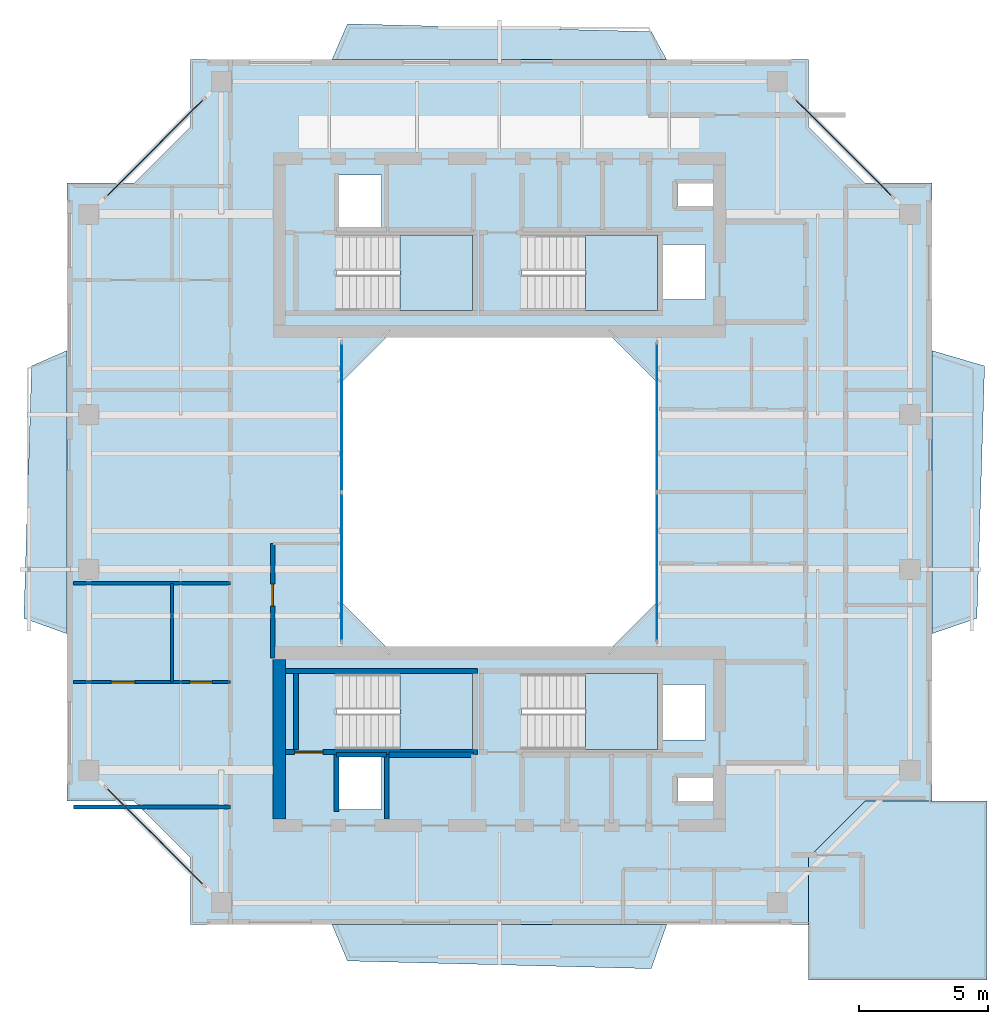
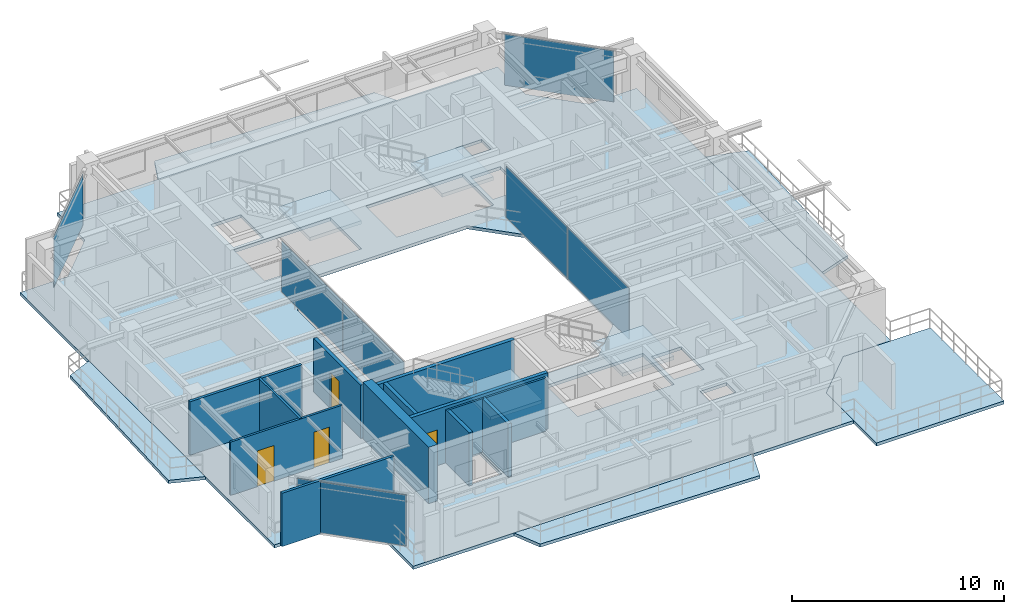
# One storey, part 9 of 16: 13 walls, 10 slabs, 7 plates, 4 doors, 4 openings, 9 elements without a shape of their own.
"""IFC4 building model written with IfcOpenShell, lengths in metres."""

from ifc_helpers import new_model, si_unit, direction, frame, frame_2d, origin, origin_2d, place, context, subcontext, project, spatial, polyline, rectangle, outline, extrude, source, transform, mapped, material, layer, layer_set, type_object, element, fill, aggregate, save


model = new_model("IFC4")

# Units and contexts
model_context = context("Model", 3, precision=1e-05, world=origin(), true_north=direction((0.0, 1.0)))
body_context = subcontext(model_context, "Body", "Model", "MODEL_VIEW")
ifc_project = project(units=[si_unit("LENGTHUNIT", "METRE"), si_unit("AREAUNIT", "SQUARE_METRE"), si_unit("VOLUMEUNIT", "CUBIC_METRE"), si_unit("PLANEANGLEUNIT", "RADIAN"), si_unit("MASSUNIT", "GRAM", prefix="KILO"), si_unit("THERMODYNAMICTEMPERATUREUNIT", "KELVIN"), si_unit("POWERUNIT", "WATT")], contexts=[model_context])

# Site, building, storey
site_placement = place(None, origin())
site = spatial("IfcSite", under=ifc_project, at=site_placement, CompositionType="ELEMENT")
building_placement = place(site_placement, origin())
building = spatial("IfcBuilding", under=site, at=building_placement, Name="Qiaomeng Ring Towers", CompositionType="ELEMENT")
storey_placement = place(building_placement, frame((0.0, 0.0, 203.5)))
storey = spatial("IfcBuildingStorey", under=building, at=storey_placement, Name="L59", CompositionType="ELEMENT", Elevation=203.5)

# Slabs
ifc_material_1 = material(Name="Concrete C40", Category="concrete")
ifc_layer_1 = layer(ifc_material_1, 0.179931640625, Name="Concrete C40")
ifc_layer_set_1 = layer_set([ifc_layer_1], Name="Concrete C40")
slab_type_1 = type_object("IfcSlabType", Name="STR-SL-180", PredefinedType="FLOOR", material=ifc_layer_set_1)
slab_1_placement = place(storey_placement, frame((0.0, 0.0, -0.179931640625)))
element("IfcSlab", 1, at=slab_1_placement, inside=storey, type_object=slab_type_1, Name="L59 Tower 1 Annular Floor Slab", PredefinedType="FLOOR", context=body_context, shape_type="SweptSolid", body=[
    extrude(outline(polyline([(7.0, 6.199951171875), (31.0, 6.199951171875), (31.0, 8.800048828125), (33.199951171875, 11.0), (35.800048828125, 11.0), (35.800048828125, 35.0), (33.199951171875, 35.0), (31.0, 37.199951171875), (31.0, 39.800048828125), (7.0, 39.800048828125), (7.0, 37.199951171875), (4.800048828125, 35.0), (2.199951171875, 35.0), (2.199951171875, 11.0), (4.800048828125, 11.0), (7.0, 8.800048828125), (7.0, 6.199951171875)]), holes=[polyline([(12.780029296875, 10.679931640625), (12.780029296875, 12.820068359375), (14.419921875, 12.820068359375), (14.419921875, 10.679931640625), (12.780029296875, 10.679931640625)]), polyline([(12.679931640625, 13.010009765625), (12.679931640625, 15.949951171875), (17.949951171875, 15.949951171875), (17.949951171875, 13.010009765625), (12.679931640625, 13.010009765625)]), polyline([(23.199951171875, 29.199951171875), (25.199951171875, 27.199951171875), (25.199951171875, 18.800048828125), (23.199951171875, 16.800048828125), (14.800048828125, 16.800048828125), (12.800048828125, 18.800048828125), (12.800048828125, 27.199951171875), (14.800048828125, 29.199951171875), (23.199951171875, 29.199951171875)]), polyline([(12.679931640625, 32.989990234375), (17.949951171875, 32.989990234375), (17.949951171875, 30.050048828125), (12.679931640625, 30.050048828125), (12.679931640625, 32.989990234375)]), polyline([(19.8798828125, 32.989990234375), (25.14990234375, 32.989990234375), (25.14990234375, 30.050048828125), (19.8798828125, 30.050048828125), (19.8798828125, 32.989990234375)]), polyline([(12.780029296875, 33.179931640625), (12.780029296875, 35.320068359375), (14.419921875, 35.320068359375), (14.419921875, 33.179931640625), (12.780029296875, 33.179931640625)]), polyline([(25.919921875, 11.89990234375), (27.360107421875, 11.89990234375), (27.360107421875, 11.0), (25.919921875, 11.0), (25.919921875, 11.89990234375)]), polyline([(25.360107421875, 15.52001953125), (27.0, 15.52001953125), (27.0, 13.3798828125), (25.360107421875, 13.3798828125), (25.360107421875, 15.52001953125)]), polyline([(19.8798828125, 13.010009765625), (19.8798828125, 15.949951171875), (25.14990234375, 15.949951171875), (25.14990234375, 13.010009765625), (19.8798828125, 13.010009765625)]), polyline([(25.360107421875, 32.6201171875), (27.0, 32.6201171875), (27.0, 30.47998046875), (25.360107421875, 30.47998046875), (25.360107421875, 32.6201171875)]), polyline([(25.919921875, 35.0), (27.360107421875, 35.0), (27.360107421875, 34.10009765625), (25.919921875, 34.10009765625), (25.919921875, 35.0)])]), origin(), (0.0, 0.0, 1.0), 0.179931640625),
])
ifc_layer_2 = layer(ifc_material_1, 0.179931640625, Name="Concrete C40")
ifc_layer_set_2 = layer_set([ifc_layer_2], Name="Concrete C40")
slab_type_2 = type_object("IfcSlabType", Name="STR-SL-BAL", PredefinedType="FLOOR", material=ifc_layer_set_2)
slab_2_placement = place(storey_placement, frame((0.0, 0.0, -0.179931640625)))
element("IfcSlab", 2, at=slab_2_placement, inside=storey, type_object=slab_type_2, Name="L59 Tower 1 S Faceted Balcony Slab", PredefinedType="FLOOR", context=body_context, shape_type="SweptSolid", body=[
    extrude(outline(polyline([(25.5, 6.199951171875), (24.89990234375, 4.489990234375), (13.10009765625, 4.7900390625), (12.5, 6.199951171875), (25.5, 6.199951171875)])), origin(), (0.0, 0.0, 1.0), 0.179931640625),
])
slab_3_placement = place(storey_placement, frame((0.0, 0.0, -0.179931640625)))
element("IfcSlab", 3, at=slab_3_placement, inside=storey, type_object=slab_type_2, Name="L59 Tower 1 E Faceted Balcony Slab", PredefinedType="FLOOR", context=body_context, shape_type="SweptSolid", body=[
    extrude(outline(polyline([(37.85009765625, 27.89990234375), (37.550048828125, 18.10009765625), (35.800048828125, 17.5), (35.800048828125, 28.5), (37.85009765625, 27.89990234375)])), origin(), (0.0, 0.0, 1.0), 0.179931640625),
])
slab_4_placement = place(storey_placement, frame((0.0, 0.0, -0.179931640625)))
element("IfcSlab", 4, at=slab_4_placement, inside=storey, type_object=slab_type_2, Name="L59 Tower 1 N Faceted Balcony Slab", PredefinedType="FLOOR", context=body_context, shape_type="SweptSolid", body=[
    extrude(outline(polyline([(12.5, 39.800048828125), (13.10009765625, 41.18994140625), (24.89990234375, 40.889892578125), (25.5, 39.800048828125), (12.5, 39.800048828125)])), origin(), (0.0, 0.0, 1.0), 0.179931640625),
])
slab_5_placement = place(storey_placement, frame((0.0, 0.0, -0.179931640625)))
element("IfcSlab", 5, at=slab_5_placement, inside=storey, type_object=slab_type_2, Name="L59 Tower 1 W Faceted Balcony Slab", PredefinedType="FLOOR", context=body_context, shape_type="SweptSolid", body=[
    extrude(outline(polyline([(0.530029296875, 18.10009765625), (0.830078125, 27.89990234375), (2.199951171875, 28.5), (2.199951171875, 17.5), (0.530029296875, 18.10009765625)])), origin(), (0.0, 0.0, 1.0), 0.179931640625),
])

# Stair, slab
ifc_material_2 = material(Name="Precast concrete C40", Category="concrete")
stair_type = type_object("IfcStairType", Name="ARC-ST-325", PredefinedType="HALF_TURN_STAIR", material=ifc_material_2)
stair_1_placement = place(storey_placement, origin())
stair_1 = element("IfcStair", 6, at=stair_1_placement, inside=storey, type_object=stair_type, Name="L59 Tower 1 North Stair 1", PredefinedType="HALF_TURN_STAIR")
ifc_layer_3 = layer(ifc_material_1, 0.199951171875, Name="Concrete C40")
ifc_layer_set_3 = layer_set([ifc_layer_3], Name="Concrete C40")
slab_type_3 = type_object("IfcSlabType", Name="STR-SL-LANDING", PredefinedType="LANDING", material=ifc_layer_set_3)
slab_6_placement = place(storey_placement, frame((0.0, 0.0, 1.425048828125)))
slab_6 = element("IfcSlab", 7, at=slab_6_placement, type_object=slab_type_3, Name="ST1 landing 1", PredefinedType="LANDING", context=body_context, shape_type="SweptSolid", body=[
    extrude(outline(polyline([(15.139892578125, 30.050048828125), (17.949951171875, 30.050048828125), (17.949951171875, 32.989990234375), (15.139892578125, 32.989990234375), (15.139892578125, 30.050048828125)])), origin(), (0.0, 0.0, 1.0), 0.199951171875),
])
aggregate(stair_1, [slab_6])

stair_2_placement = place(storey_placement, origin())
stair_2 = element("IfcStair", 8, at=stair_2_placement, inside=storey, type_object=stair_type, Name="L59 Tower 1 North Stair 2", PredefinedType="HALF_TURN_STAIR")
slab_7_placement = place(storey_placement, frame((0.0, 0.0, 1.425048828125)))
slab_7 = element("IfcSlab", 9, at=slab_7_placement, type_object=slab_type_3, Name="ST2 landing 1", PredefinedType="LANDING", context=body_context, shape_type="SweptSolid", body=[
    extrude(outline(polyline([(22.340087890625, 30.050048828125), (25.14990234375, 30.050048828125), (25.14990234375, 32.989990234375), (22.340087890625, 32.989990234375), (22.340087890625, 30.050048828125)])), origin(), (0.0, 0.0, 1.0), 0.199951171875),
])
aggregate(stair_2, [slab_7])

stair_3_placement = place(storey_placement, origin())
stair_3 = element("IfcStair", 10, at=stair_3_placement, inside=storey, type_object=stair_type, Name="L59 Tower 1 South Stair 3", PredefinedType="HALF_TURN_STAIR")
slab_8_placement = place(storey_placement, frame((0.0, 0.0, 1.425048828125)))
slab_8 = element("IfcSlab", 11, at=slab_8_placement, type_object=slab_type_3, Name="ST3 landing 1", PredefinedType="LANDING", context=body_context, shape_type="SweptSolid", body=[
    extrude(outline(polyline([(15.139892578125, 13.010009765625), (17.949951171875, 13.010009765625), (17.949951171875, 15.949951171875), (15.139892578125, 15.949951171875), (15.139892578125, 13.010009765625)])), origin(), (0.0, 0.0, 1.0), 0.199951171875),
])
aggregate(stair_3, [slab_8])

stair_4_placement = place(storey_placement, origin())
stair_4 = element("IfcStair", 12, at=stair_4_placement, inside=storey, type_object=stair_type, Name="L59 Tower 1 South Stair 4", PredefinedType="HALF_TURN_STAIR")
slab_9_placement = place(storey_placement, frame((0.0, 0.0, 1.425048828125)))
slab_9 = element("IfcSlab", 13, at=slab_9_placement, type_object=slab_type_3, Name="ST4 landing 1", PredefinedType="LANDING", context=body_context, shape_type="SweptSolid", body=[
    extrude(outline(polyline([(22.340087890625, 13.010009765625), (25.14990234375, 13.010009765625), (25.14990234375, 15.949951171875), (22.340087890625, 15.949951171875), (22.340087890625, 13.010009765625)])), origin(), (0.0, 0.0, 1.0), 0.199951171875),
])
aggregate(stair_4, [slab_9])

# Slab
ifc_layer_4 = layer(ifc_material_1, 0.179931640625, Name="Concrete C40")
ifc_layer_set_4 = layer_set([ifc_layer_4], Name="Concrete C40")
slab_type_4 = type_object("IfcSlabType", Name="STR-SL-TERR180", PredefinedType="FLOOR", material=ifc_layer_set_4)
slab_10_placement = place(storey_placement, frame((0.0, 0.0, -0.179931640625)))
element("IfcSlab", 14, at=slab_10_placement, inside=storey, type_object=slab_type_4, Name="L59 Spiralling Corner Sky Terrace SE", PredefinedType="FLOOR", context=body_context, shape_type="SweptSolid", body=[
    extrude(outline(polyline([(37.949951171875, 11.0), (37.949951171875, 4.050048828125), (31.0, 4.050048828125), (31.0, 6.199951171875), (31.0, 6.199951171875), (31.0, 8.800048828125), (33.199951171875, 11.0), (35.800048828125, 11.0), (37.949951171875, 11.0)])), origin(), (0.0, 0.0, 1.0), 0.179931640625),
])

# Curtain wall, plates
ifc_material_3 = material(Name="Fluorocarbon dark-grey aluminium", Category="aluminium")
ifc_layer_5 = layer(ifc_material_3, 0.139892578125, Name="Fluorocarbon dark-grey aluminium")
ifc_layer_set_5 = layer_set([ifc_layer_5], Name="Fluorocarbon dark-grey aluminium")
curtain_wall_type_1 = type_object("IfcCurtainWallType", Name="ARC-CW-4", PredefinedType="NOTDEFINED", material=ifc_layer_set_5)
curtain_wall_1_placement = place(storey_placement, origin())
curtain_wall_1 = element("IfcCurtainWall", 15, at=curtain_wall_1_placement, inside=storey, type_object=curtain_wall_type_1, Name="L59 Curtain Wall CW4", PredefinedType="NOTDEFINED")
ifc_material_4 = material(Name="Low-E dark-grey laminated double glazing", Category="glass")
ifc_layer_6 = layer(ifc_material_4, 0.028076171875, Name="Low-E dark-grey laminated double glazing")
ifc_layer_set_6 = layer_set([ifc_layer_6], Name="Low-E dark-grey laminated double glazing")
plate_type = type_object("IfcPlateType", Name="ARC-CWP-DARK", PredefinedType="CURTAIN_PANEL", material=ifc_layer_set_6)
shared_shape_1 = source(origin(), body_context, "Body", "SweptSolid", [
    extrude(rectangle(XDim=5.75244140625, YDim=0.028076171875, at=origin_2d()), origin(), (0.0, 0.0, 1.0), 2.93994140625),
])
plate_1_placement = place(storey_placement, frame((12.8798828125, 20.09130859375, 0.06494140625), z_axis=(0.0, 0.0, 1.0), x_axis=(0.0, 1.0, 0.0)))
plate_1 = element("IfcPlate", 16, at=plate_1_placement, type_object=plate_type, Name="CW4 panel 1.1", PredefinedType="CURTAIN_PANEL", context=body_context, shape_type="MappedRepresentation", body=[
    mapped(shared_shape_1, transform((0.0, 0.0, 0.0), x_axis=(1.0, 0.0, 0.0), y_axis=(0.0, 1.0, 0.0), z_axis=(0.0, 0.0, 1.0), scale=1.0)),
])
plate_2_placement = place(storey_placement, frame((12.8798828125, 25.90869140625, 0.06494140625), z_axis=(0.0, 0.0, 1.0), x_axis=(0.0, 1.0, 0.0)))
plate_2 = element("IfcPlate", 17, at=plate_2_placement, type_object=plate_type, Name="CW4 panel 2.1", PredefinedType="CURTAIN_PANEL", context=body_context, shape_type="MappedRepresentation", body=[
    mapped(shared_shape_1, transform((0.0, 0.0, 0.0), x_axis=(1.0, 0.0, 0.0), y_axis=(0.0, 1.0, 0.0), z_axis=(0.0, 0.0, 1.0), scale=1.0)),
])
aggregate(curtain_wall_1, [plate_1, plate_2])

curtain_wall_2_placement = place(storey_placement, origin())
curtain_wall_2 = element("IfcCurtainWall", 18, at=curtain_wall_2_placement, inside=storey, type_object=curtain_wall_type_1, Name="L59 Curtain Wall CW4", PredefinedType="NOTDEFINED")
plate_3_placement = place(storey_placement, frame((25.1201171875, 20.09130859375, 0.06494140625), z_axis=(0.0, 0.0, 1.0), x_axis=(0.0, 1.0, 0.0)))
plate_3 = element("IfcPlate", 19, at=plate_3_placement, type_object=plate_type, Name="CW4 panel 1.1", PredefinedType="CURTAIN_PANEL", context=body_context, shape_type="MappedRepresentation", body=[
    mapped(shared_shape_1, transform((0.0, 0.0, 0.0), x_axis=(1.0, 0.0, 0.0), y_axis=(0.0, 1.0, 0.0), z_axis=(0.0, 0.0, 1.0), scale=1.0)),
])
plate_4_placement = place(storey_placement, frame((25.1201171875, 25.90869140625, 0.06494140625), z_axis=(0.0, 0.0, 1.0), x_axis=(0.0, 1.0, 0.0)))
plate_4 = element("IfcPlate", 20, at=plate_4_placement, type_object=plate_type, Name="CW4 panel 2.1", PredefinedType="CURTAIN_PANEL", context=body_context, shape_type="MappedRepresentation", body=[
    mapped(shared_shape_1, transform((0.0, 0.0, 0.0), x_axis=(1.0, 0.0, 0.0), y_axis=(0.0, 1.0, 0.0), z_axis=(0.0, 0.0, 1.0), scale=1.0)),
])
aggregate(curtain_wall_2, [plate_3, plate_4])

# Curtain wall, plate
ifc_layer_7 = layer(ifc_material_3, 0.14990234375, Name="Fluorocarbon dark-grey aluminium")
ifc_layer_set_7 = layer_set([ifc_layer_7], Name="Fluorocarbon dark-grey aluminium")
curtain_wall_type_2 = type_object("IfcCurtainWallType", Name="ARC-CW-3", PredefinedType="NOTDEFINED", material=ifc_layer_set_7)
curtain_wall_3_placement = place(storey_placement, origin())
curtain_wall_3 = element("IfcCurtainWall", 21, at=curtain_wall_3_placement, inside=storey, type_object=curtain_wall_type_2, Name="L59 Curtain Wall CW3", PredefinedType="NOTDEFINED")
shared_shape_2 = source(origin(), body_context, "Body", "SweptSolid", [
    extrude(rectangle(XDim=5.3330078125, YDim=0.028076171875, at=origin_2d()), origin(), (0.0, 0.0, 1.0), 2.93994140625),
])
plate_5_placement = place(storey_placement, frame((32.375, 36.375, 0.06494140625), z_axis=(0.0, 0.0, 1.0), x_axis=(-0.707106781187, 0.707106781187, 0.0)))
plate_5 = element("IfcPlate", 22, at=plate_5_placement, type_object=plate_type, Name="CW3 panel 1.1", PredefinedType="CURTAIN_PANEL", context=body_context, shape_type="MappedRepresentation", body=[
    mapped(shared_shape_2, transform((0.0, 0.0, 0.0), x_axis=(1.0, 0.0, 0.0), y_axis=(0.0, 1.0, 0.0), z_axis=(0.0, 0.0, 1.0), scale=1.0)),
])
aggregate(curtain_wall_3, [plate_5])

curtain_wall_4_placement = place(storey_placement, origin())
curtain_wall_4 = element("IfcCurtainWall", 23, at=curtain_wall_4_placement, inside=storey, type_object=curtain_wall_type_2, Name="L59 Curtain Wall CW3", PredefinedType="NOTDEFINED")
plate_6_placement = place(storey_placement, frame((5.625, 36.375, 0.06494140625), z_axis=(0.0, 0.0, 1.0), x_axis=(-0.707106781187, -0.707106781187, 0.0)))
plate_6 = element("IfcPlate", 24, at=plate_6_placement, type_object=plate_type, Name="CW3 panel 1.1", PredefinedType="CURTAIN_PANEL", context=body_context, shape_type="MappedRepresentation", body=[
    mapped(shared_shape_2, transform((0.0, 0.0, 0.0), x_axis=(1.0, 0.0, 0.0), y_axis=(0.0, 1.0, 0.0), z_axis=(0.0, 0.0, 1.0), scale=1.0)),
])
aggregate(curtain_wall_4, [plate_6])

curtain_wall_5_placement = place(storey_placement, origin())
curtain_wall_5 = element("IfcCurtainWall", 25, at=curtain_wall_5_placement, inside=storey, type_object=curtain_wall_type_2, Name="L59 Curtain Wall CW3", PredefinedType="NOTDEFINED")
plate_7_placement = place(storey_placement, frame((5.625, 9.625, 0.06494140625), z_axis=(0.0, 0.0, 1.0), x_axis=(0.707106781187, -0.707106781187, 0.0)))
plate_7 = element("IfcPlate", 26, at=plate_7_placement, type_object=plate_type, Name="CW3 panel 1.1", PredefinedType="CURTAIN_PANEL", context=body_context, shape_type="MappedRepresentation", body=[
    mapped(shared_shape_2, transform((0.0, 0.0, 0.0), x_axis=(1.0, 0.0, 0.0), y_axis=(0.0, 1.0, 0.0), z_axis=(0.0, 0.0, 1.0), scale=1.0)),
])
aggregate(curtain_wall_5, [plate_7])

# Walls
ifc_material_5 = material(Name="Autoclaved aerated concrete block", Category="concrete")
ifc_layer_8 = layer(ifc_material_5, 0.199951171875, Name="Autoclaved aerated concrete block")
ifc_layer_set_8 = layer_set([ifc_layer_8], Name="Autoclaved aerated concrete block")
wall_type_1 = type_object("IfcWallType", Name="ARC-WL-PW1", PredefinedType="PARTITIONING", material=ifc_layer_set_8)
wall_1_placement = place(storey_placement, frame((12.679931640625, 10.60009765625, 0.0), z_axis=(0.0, 0.0, 1.0), x_axis=(0.0, 1.0, 0.0)))
element("IfcWall", 27, at=wall_1_placement, inside=storey, type_object=wall_type_1, Name="L59 Interior Wall PW1", PredefinedType="PARTITIONING", context=body_context, shape_type="SweptSolid", body=[
    extrude(rectangle(XDim=2.2099609375, YDim=0.199951171875, at=frame_2d((1.10498046875, 0.0))), origin(), (0.0, 0.0, 1.0), 3.070068359375),
])
wall_2_placement = place(storey_placement, frame((14.719970703125, 12.800048828125, 0.0), z_axis=(0.0, 0.0, 1.0), x_axis=(1.0, 0.0, 0.0)))
element("IfcWall", 28, at=wall_2_placement, inside=storey, type_object=wall_type_1, Name="L59 Interior Wall PW1", PredefinedType="PARTITIONING", context=body_context, shape_type="SweptSolid", body=[
    extrude(rectangle(XDim=3.280029296875, YDim=0.199951171875, at=frame_2d((1.64013671875, 0.0))), origin(), (0.0, 0.0, 1.0), 3.070068359375),
])

# Wall, opening, door
ifc_layer_9 = layer(ifc_material_5, 0.179931640625, Name="Autoclaved aerated concrete block")
ifc_layer_set_9 = layer_set([ifc_layer_9], Name="Autoclaved aerated concrete block")
wall_type_2 = type_object("IfcWallType", Name="ARC-WL-PW2", PredefinedType="PARTITIONING", material=ifc_layer_set_9)
wall_3_placement = place(storey_placement, frame((10.199951171875, 16.550048828125, 0.0), z_axis=(0.0, 0.0, 1.0), x_axis=(0.0, 1.0, 0.0)))
wall_3 = element("IfcWall", 29, at=wall_3_placement, inside=storey, type_object=wall_type_2, Name="L59 Interior Wall PW2", PredefinedType="PARTITIONING", context=body_context, shape_type="SweptSolid", body=[
    extrude(rectangle(XDim=4.449951171875, YDim=0.179931640625, at=frame_2d((2.22509765625, 0.0))), origin(), (0.0, 0.0, 1.0), 3.070068359375),
])
opening_1_placement = place(wall_3_placement, frame((2.02490234375, 0.0, 0.0)))
opening_1 = element("IfcOpeningElement", 30, at=opening_1_placement, cuts=wall_3, Name="Opening ID2", PredefinedType="OPENING", context=body_context, shape_type="SweptSolid", body=[
    extrude(rectangle(XDim=0.85009765625, YDim=2.050048828125, at=frame_2d((0.425048828125, 1.02490234375))), frame((0.0, 0.099853515625, 0.0), z_axis=(0.0, -1.0, 0.0), x_axis=(1.0, 0.0, 0.0)), (0.0, 0.0, 1.0), 0.199951171875),
])
ifc_material_6 = material(Name="Moisture-resistant engineered timber", Category="wood")
door_type_1 = type_object("IfcDoorType", Name="ARC-DR-ID2", OperationType="NOTDEFINED", PredefinedType="DOOR", material=ifc_material_6)
shared_shape_3 = source(origin(), body_context, "Body", "SweptSolid", [
    extrude(rectangle(XDim=0.85009765625, YDim=2.050048828125, at=frame_2d((0.425048828125, 1.02490234375))), frame((0.0, 0.02490234375, 0.0), z_axis=(0.0, -1.0, 0.0), x_axis=(1.0, 0.0, 0.0)), (0.0, 0.0, 1.0), 0.050048828125),
])
door_1_placement = place(opening_1_placement, origin())
door_1 = element("IfcDoor", 31, at=door_1_placement, inside=storey, type_object=door_type_1, Name="L59 Door ID2", OperationType="SINGLE_SWING_LEFT", OverallHeight=2.050048828125, OverallWidth=0.85009765625, PredefinedType="DOOR", context=body_context, shape_type="MappedRepresentation", body=[
    mapped(shared_shape_3, transform((0.0, 0.0, 0.0), x_axis=(1.0, 0.0, 0.0), y_axis=(0.0, 1.0, 0.0), z_axis=(0.0, 0.0, 1.0), scale=1.0)),
])
fill(opening_1, door_1)

# Walls
ifc_material_7 = material(Name="Gypsum fireboard steel-stud partition", Category="steel")
ifc_layer_10 = layer(ifc_material_7, 0.14990234375, Name="Gypsum fireboard steel-stud partition")
ifc_layer_set_10 = layer_set([ifc_layer_10], Name="Gypsum fireboard steel-stud partition")
wall_type_3 = type_object("IfcWallType", Name="ARC-WL-PW3", PredefinedType="PARTITIONING", material=ifc_layer_set_10)
for number, where, z_axis, x_axis, name in (
    (32, (2.449951171875, 10.77001953125, 0.0), (0.0, 0.0, 1.0), (1.0, 0.0, 0.0), "L59 Interior Wall PW3"),
    (33, (2.449951171875, 19.4599609375, 0.0), (0.0, 0.0, 1.0), (1.0, 0.0, 0.0), "L59 Interior Wall PW3"),
):
    element("IfcWall", number, at=place(storey_placement, frame(where, z_axis=z_axis, x_axis=x_axis)), inside=storey, type_object=wall_type_3, Name=name, PredefinedType="PARTITIONING", context=body_context, shape_type="SweptSolid", body=[
        extrude(rectangle(XDim=6.10009765625, YDim=0.14990234375, at=frame_2d((3.050048828125, 0.0))), origin(), (0.0, 0.0, 1.0), 3.070068359375),
    ])

# Wall, openings, doors
ifc_material_8 = material(Name="Moisture-resistant gypsum steel-stud partition", Category="steel")
ifc_layer_11 = layer(ifc_material_8, 0.1201171875, Name="Moisture-resistant gypsum steel-stud partition")
ifc_layer_set_11 = layer_set([ifc_layer_11], Name="Moisture-resistant gypsum steel-stud partition")
wall_type_4 = type_object("IfcWallType", Name="ARC-WL-PW4", PredefinedType="PLUMBINGWALL", material=ifc_layer_set_11)
wall_4_placement = place(storey_placement, frame((2.449951171875, 15.6201171875, 0.0), z_axis=(0.0, 0.0, 1.0), x_axis=(1.0, 0.0, 0.0)))
wall_4 = element("IfcWall", 34, at=wall_4_placement, inside=storey, type_object=wall_type_4, Name="L59 Interior Wall PW4", PredefinedType="PLUMBINGWALL", context=body_context, shape_type="SweptSolid", body=[
    extrude(rectangle(XDim=6.10009765625, YDim=0.1201171875, at=frame_2d((3.050048828125, 0.0))), origin(), (0.0, 0.0, 1.0), 3.070068359375),
])
opening_2_placement = place(wall_4_placement, frame((1.47998046875, 0.0, 0.0)))
opening_2 = element("IfcOpeningElement", 35, at=opening_2_placement, cuts=wall_4, Name="Opening ID1", PredefinedType="OPENING", context=body_context, shape_type="SweptSolid", body=[
    extrude(rectangle(XDim=0.89990234375, YDim=2.050048828125, at=frame_2d((0.449951171875, 1.02490234375))), frame((0.0, 0.070068359375, 0.0), z_axis=(0.0, -1.0, 0.0), x_axis=(1.0, 0.0, 0.0)), (0.0, 0.0, 1.0), 0.14013671875),
])
opening_3_placement = place(wall_4_placement, frame((4.534912109375, 0.0, 0.0)))
opening_3 = element("IfcOpeningElement", 36, at=opening_3_placement, cuts=wall_4, Name="Opening ID2", PredefinedType="OPENING", context=body_context, shape_type="SweptSolid", body=[
    extrude(rectangle(XDim=0.85009765625, YDim=2.050048828125, at=frame_2d((0.425048828125, 1.02490234375))), frame((0.0, 0.070068359375, 0.0), z_axis=(0.0, -1.0, 0.0), x_axis=(1.0, 0.0, 0.0)), (0.0, 0.0, 1.0), 0.14013671875),
])
door_2_placement = place(opening_3_placement, origin())
door_2 = element("IfcDoor", 37, at=door_2_placement, inside=storey, type_object=door_type_1, Name="L59 Door ID2", OperationType="SINGLE_SWING_LEFT", OverallHeight=2.050048828125, OverallWidth=0.85009765625, PredefinedType="DOOR", context=body_context, shape_type="MappedRepresentation", body=[
    mapped(shared_shape_3, transform((0.0, 0.0, 0.0), x_axis=(1.0, 0.0, 0.0), y_axis=(0.0, 1.0, 0.0), z_axis=(0.0, 0.0, 1.0), scale=1.0)),
])
fill(opening_3, door_2)
ifc_material_9 = material(Name="Engineered oak timber", Category="wood")
door_type_2 = type_object("IfcDoorType", Name="ARC-DR-ID1", OperationType="NOTDEFINED", PredefinedType="DOOR", material=ifc_material_9)
shared_shape_4 = source(origin(), body_context, "Body", "SweptSolid", [
    extrude(rectangle(XDim=0.89990234375, YDim=2.050048828125, at=frame_2d((0.449951171875, 1.02490234375))), frame((0.0, 0.02490234375, 0.0), z_axis=(0.0, -1.0, 0.0), x_axis=(1.0, 0.0, 0.0)), (0.0, 0.0, 1.0), 0.050048828125),
])
door_3_placement = place(opening_2_placement, origin())
door_3 = element("IfcDoor", 38, at=door_3_placement, inside=storey, type_object=door_type_2, Name="L59 Door ID1", OperationType="SINGLE_SWING_RIGHT", OverallHeight=2.050048828125, OverallWidth=0.89990234375, PredefinedType="DOOR", context=body_context, shape_type="MappedRepresentation", body=[
    mapped(shared_shape_4, transform((0.0, 0.0, 0.0), x_axis=(1.0, 0.0, 0.0), y_axis=(0.0, 1.0, 0.0), z_axis=(0.0, 0.0, 1.0), scale=1.0)),
])
fill(opening_2, door_3)

# Walls
wall_5_placement = place(storey_placement, frame((6.2900390625, 15.6201171875, 0.0), z_axis=(0.0, 0.0, 1.0), x_axis=(0.0, 1.0, 0.0)))
element("IfcWall", 39, at=wall_5_placement, inside=storey, type_object=wall_type_4, Name="L59 Interior Wall PW4", PredefinedType="PLUMBINGWALL", context=body_context, shape_type="SweptSolid", body=[
    extrude(rectangle(XDim=3.83984375, YDim=0.1201171875, at=frame_2d((1.919921875, 0.0))), origin(), (0.0, 0.0, 1.0), 3.070068359375),
])
ifc_layer_12 = layer(ifc_material_1, 0.199951171875, Name="Concrete C40")
ifc_layer_set_12 = layer_set([ifc_layer_12], Name="Concrete C40")
wall_type_5 = type_object("IfcWallType", Name="STR-WL-STSHAFT", PredefinedType="SHEAR", material=ifc_layer_set_12)
wall_6_placement = place(storey_placement, frame((12.679931640625, 12.800048828125, 0.0), z_axis=(0.0, 0.0, 1.0), x_axis=(1.0, 0.0, 0.0)))
element("IfcWall", 40, at=wall_6_placement, inside=storey, type_object=wall_type_5, Name="L59 Lift LP6 Shaft Back Wall", PredefinedType="SHEAR", context=body_context, shape_type="SweptSolid", body=[
    extrude(rectangle(XDim=1.940185546875, YDim=0.179931640625, at=frame_2d((0.97021484375, 0.0))), origin(), (0.0, 0.0, 1.0), 3.070068359375),
])
wall_7_placement = place(storey_placement, frame((14.6201171875, 10.300048828125, 0.0), z_axis=(0.0, 0.0, 1.0), x_axis=(0.0, 1.0, 0.0)))
element("IfcWall", 41, at=wall_7_placement, inside=storey, type_object=wall_type_5, Name="L59 Lift LP6-LP4 Shaft Divider Wall", PredefinedType="SHEAR", context=body_context, shape_type="SweptSolid", body=[
    extrude(rectangle(XDim=2.5, YDim=0.179931640625, at=frame_2d((1.25, 0.0))), origin(), (0.0, 0.0, 1.0), 3.070068359375),
])

# Wall, opening, door
wall_8_placement = place(storey_placement, frame((10.699951171875, 12.909912109375, 0.0), z_axis=(0.0, 0.0, 1.0), x_axis=(1.0, 0.0, 0.0)))
wall_8 = element("IfcWall", 42, at=wall_8_placement, inside=storey, type_object=wall_type_5, Name="L59 Stair ST3 South Shaft Shear Wall", PredefinedType="SHEAR", context=body_context, shape_type="SweptSolid", body=[
    extrude(rectangle(XDim=7.449951171875, YDim=0.199951171875, at=frame_2d((3.72509765625, 0.0))), origin(), (0.0, 0.0, 1.0), 3.25),
])
opening_4_placement = place(wall_8_placement, frame((0.35009765625, 0.0, 0.0)))
opening_4 = element("IfcOpeningElement", 43, at=opening_4_placement, cuts=wall_8, Name="Opening FD3", PredefinedType="OPENING", context=body_context, shape_type="SweptSolid", body=[
    extrude(rectangle(XDim=1.10009765625, YDim=2.050048828125, at=frame_2d((0.550048828125, 1.02490234375))), frame((0.0, 0.10986328125, 0.0), z_axis=(0.0, -1.0, 0.0), x_axis=(1.0, 0.0, 0.0)), (0.0, 0.0, 1.0), 0.219970703125),
])
ifc_material_10 = material(Name="Galvanised steel", Category="steel")
door_type_3 = type_object("IfcDoorType", Name="ARC-DR-FD3", OperationType="NOTDEFINED", PredefinedType="DOOR", material=ifc_material_10)
shared_shape_5 = source(origin(), body_context, "Body", "SweptSolid", [
    extrude(rectangle(XDim=1.10009765625, YDim=2.050048828125, at=frame_2d((0.550048828125, 1.02490234375))), frame((0.0, 0.02490234375, 0.0), z_axis=(0.0, -1.0, 0.0), x_axis=(1.0, 0.0, 0.0)), (0.0, 0.0, 1.0), 0.050048828125),
])
door_4_placement = place(opening_4_placement, frame((1.10009765625, 0.0, 0.0), z_axis=(0.0, 0.0, 1.0), x_axis=(-1.0, 0.0, 0.0)))
door_4 = element("IfcDoor", 44, at=door_4_placement, inside=storey, type_object=door_type_3, Name="L59 Stair ST3 Exit Door", OperationType="SINGLE_SWING_RIGHT", OverallHeight=2.050048828125, OverallWidth=1.10009765625, PredefinedType="DOOR", context=body_context, shape_type="MappedRepresentation", body=[
    mapped(shared_shape_5, transform((0.0, 0.0, 0.0), x_axis=(1.0, 0.0, 0.0), y_axis=(0.0, 1.0, 0.0), z_axis=(0.0, 0.0, 1.0), scale=1.0)),
])
fill(opening_4, door_4)

# Walls
wall_9_placement = place(storey_placement, frame((10.699951171875, 16.050048828125, 0.0), z_axis=(0.0, 0.0, 1.0), x_axis=(1.0, 0.0, 0.0)))
element("IfcWall", 45, at=wall_9_placement, inside=storey, type_object=wall_type_5, Name="L59 Stair ST3 North Shaft Shear Wall", PredefinedType="SHEAR", context=body_context, shape_type="SweptSolid", body=[
    extrude(rectangle(XDim=7.449951171875, YDim=0.199951171875, at=frame_2d((3.72509765625, 0.0))), origin(), (0.0, 0.0, 1.0), 3.25),
])
wall_10_placement = place(storey_placement, frame((11.10009765625, 13.010009765625, 0.0), z_axis=(0.0, 0.0, 1.0), x_axis=(0.0, 1.0, 0.0)))
element("IfcWall", 46, at=wall_10_placement, inside=storey, type_object=wall_type_5, Name="L59 Stair ST3 West Shaft Shear Wall", PredefinedType="SHEAR", context=body_context, shape_type="SweptSolid", body=[
    extrude(rectangle(XDim=2.93994140625, YDim=0.199951171875, at=frame_2d((1.469970703125, 0.0))), origin(), (0.0, 0.0, 1.0), 3.25),
])
ifc_layer_13 = layer(ifc_material_1, 0.5, Name="Concrete C40")
ifc_layer_set_13 = layer_set([ifc_layer_13], Name="Concrete C40")
wall_type_6 = type_object("IfcWallType", Name="STR-WL-SW3", PredefinedType="SHEAR", material=ifc_layer_set_13)
wall_11_placement = place(storey_placement, frame((10.449951171875, 10.300048828125, 0.0), z_axis=(0.0, 0.0, 1.0), x_axis=(0.0, 1.0, 0.0)))
element("IfcWall", 47, at=wall_11_placement, inside=storey, type_object=wall_type_6, Name="L59 T1SC west core shear wall", PredefinedType="SHEAR", context=body_context, shape_type="SweptSolid", body=[
    extrude(rectangle(XDim=6.199951171875, YDim=0.5, at=frame_2d((3.10009765625, 0.0))), origin(), (0.0, 0.0, 1.0), 3.25),
])

save(model, "model.ifc")
